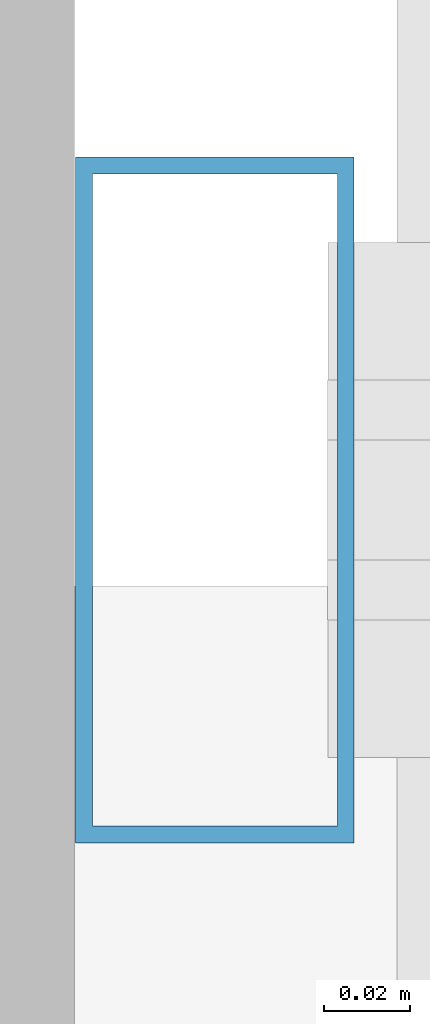
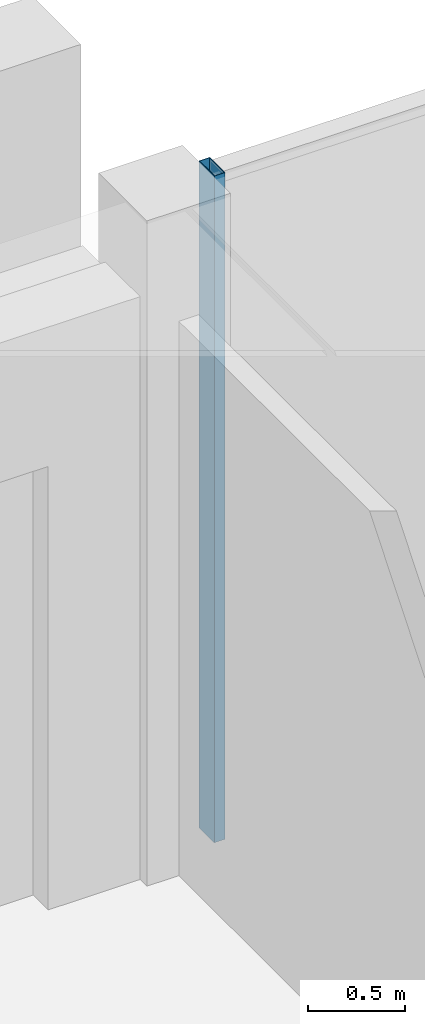
# One storey, part 34 of 104: 1 member, 1 element without a shape of its own.
"""IFC4 building model written with IfcOpenShell, lengths in metres."""

from ifc_helpers import new_model, si_unit, direction, frame, origin, origin_2d, place, context, subcontext, project, spatial, hollow_rectangle, extrude, material, material_profile, profile_set, type_object, element, aggregate, save


model = new_model("IFC4")

# Units and contexts
model_context = context("Model", 3, precision=1e-05, world=origin(), true_north=direction((0.0, 1.0)))
body_context = subcontext(model_context, "Body", "Model", "MODEL_VIEW")
ifc_project = project(units=[si_unit("LENGTHUNIT", "METRE"), si_unit("AREAUNIT", "SQUARE_METRE"), si_unit("VOLUMEUNIT", "CUBIC_METRE"), si_unit("PLANEANGLEUNIT", "RADIAN"), si_unit("MASSUNIT", "GRAM", prefix="KILO")], contexts=[model_context])

# Site, building, storey
site_placement = place(None, origin())
site = spatial("IfcSite", under=ifc_project, at=site_placement, CompositionType="ELEMENT")
building_placement = place(site_placement, origin())
building = spatial("IfcBuilding", under=site, at=building_placement, Name="Hawrajan Terrace Health Centre", CompositionType="ELEMENT")
storey_placement = place(building_placement, origin())
storey = spatial("IfcBuildingStorey", under=building, at=storey_placement, Name="L00", CompositionType="ELEMENT", Elevation=0.0)

# Curtain wall, member
ifc_material_1 = material(Name="Anodized bronze aluminium and low-E solar glazing", Category="aluminium")
curtain_wall_type = type_object("IfcCurtainWallType", Name="CW_Garden_SeriesF2", PredefinedType="USERDEFINED", material=ifc_material_1)
curtain_wall_placement = place(storey_placement, origin())
curtain_wall = element("IfcCurtainWall", 1, at=curtain_wall_placement, inside=storey, type_object=curtain_wall_type, Name="Curtain wall CW-L00-015", ObjectType="UNITISED CURTAIN WALL", PredefinedType="USERDEFINED")
ifc_material_2 = material(Name="Anodized bronze aluminium 6063-T6", Category="aluminium")
ifc_material_profile = material_profile(ifc_material_2, hollow_rectangle(XDim=0.06494140625, YDim=0.159912109375, WallThickness=0.00390625, at=origin_2d()), Name="CW MUL 65x160")
ifc_profile_set = profile_set([ifc_material_profile], Name="Anodized bronze aluminium 6063-T6")
member_type = type_object("IfcMemberType", Name="CWMullion_65x160", PredefinedType="MULLION", material=ifc_profile_set)
member_placement = place(storey_placement, frame((33.6826171875, 59.800048828125, -0.0048828125), z_axis=(0.0, 0.0, 1.0), x_axis=(1.0, 0.0, 0.0)))
member = element("IfcMember", 2, at=member_placement, type_object=member_type, Name="Mullion CW-L00-015-M1", PredefinedType="MULLION", context=body_context, shape_type="SweptSolid", body=[
    extrude(hollow_rectangle(XDim=0.06494140625, YDim=0.159912109375, WallThickness=0.00390625, at=origin_2d()), origin(), (0.0, 0.0, 1.0), 4.2099609375),
])
aggregate(curtain_wall, [member])

save(model, "model.ifc")
